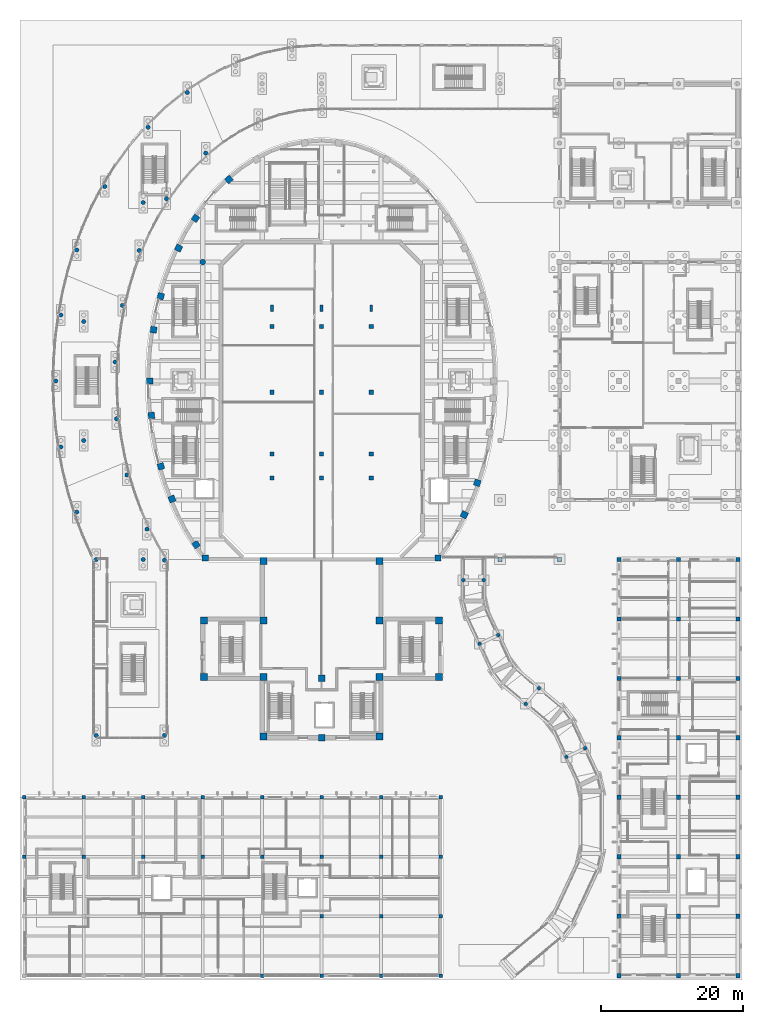
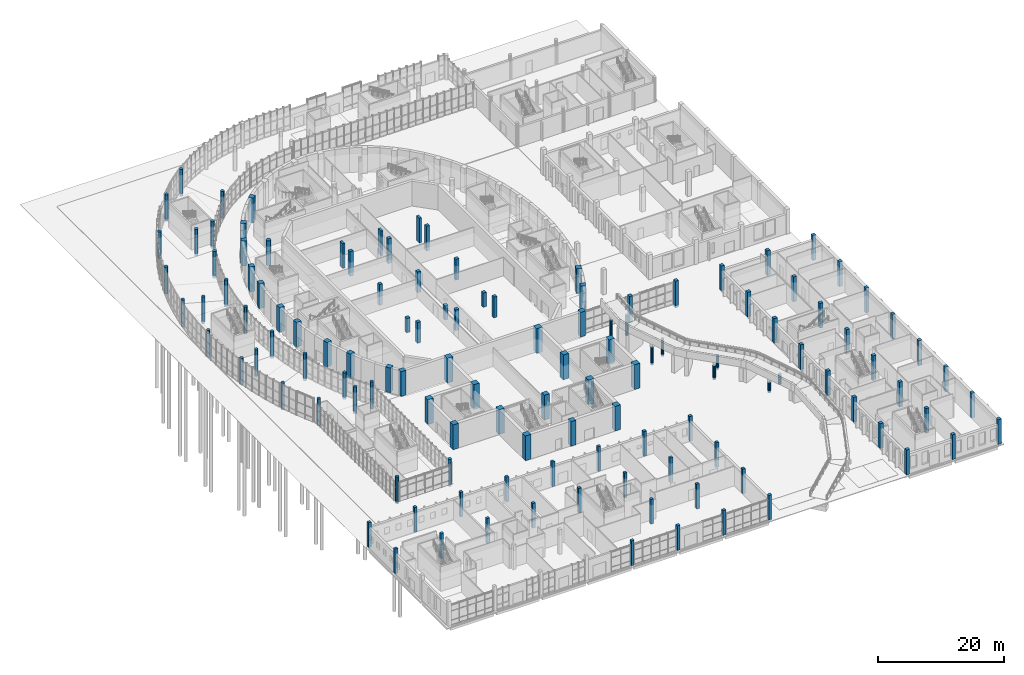
# One storey, part 4 of 110: 125 columns.
"""IFC4 building model written with IfcOpenShell, lengths in metres."""

from ifc_helpers import new_model, si_unit, direction, frame, origin, origin_2d, place, context, subcontext, project, spatial, rectangle, circle, extrude, material, material_profile, profile_set, type_object, element, save


model = new_model("IFC4")

# Units and contexts
model_context = context("Model", 3, precision=1e-05, world=origin(), true_north=direction((0.0, 1.0)))
body_context = subcontext(model_context, "Body", "Model", "MODEL_VIEW")
ifc_project = project(units=[si_unit("LENGTHUNIT", "METRE"), si_unit("AREAUNIT", "SQUARE_METRE"), si_unit("VOLUMEUNIT", "CUBIC_METRE"), si_unit("PLANEANGLEUNIT", "RADIAN"), si_unit("MASSUNIT", "GRAM", prefix="KILO")], contexts=[model_context])

# Site, building, storey
site_placement = place(None, origin())
site = spatial("IfcSite", under=ifc_project, at=site_placement, CompositionType="ELEMENT")
building_placement = place(site_placement, origin())
building = spatial("IfcBuilding", under=site, at=building_placement, Name="Larchfold Concert Hall", CompositionType="ELEMENT")
storey_placement = place(building_placement, origin())
storey = spatial("IfcBuildingStorey", under=building, at=storey_placement, Name="L00", CompositionType="ELEMENT", Elevation=0.0)

# Columns
ifc_material_1 = material(Name="Concrete C35/45", Category="concrete")
ifc_material_profile_1 = material_profile(ifc_material_1, rectangle(XDim=1.0, YDim=1.0, at=origin_2d()))
ifc_profile_set_1 = profile_set([ifc_material_profile_1], Name="Concrete C35/45")
column_type_1 = type_object("IfcColumnType", Name="Column RC 1000x1000", PredefinedType="COLUMN", material=ifc_profile_set_1)
for number, where, z_axis, x_axis, name in (
    (1, (26.0, 42.800048828125, 0.0), (0.0, 0.0, 1.0), (1.0, 0.0, 0.0), "Column C0087"),
    (2, (26.0, 50.800048828125, 0.0), (0.0, 0.0, 1.0), (1.0, 0.0, 0.0), "Column C0088"),
    (3, (34.39990234375, 34.39990234375, 0.0), (0.0, 0.0, 1.0), (1.0, 0.0, 0.0), "Column C0089"),
    (4, (34.39990234375, 42.800048828125, 0.0), (0.0, 0.0, 1.0), (1.0, 0.0, 0.0), "Column C0090"),
    (5, (34.39990234375, 50.800048828125, 0.0), (0.0, 0.0, 1.0), (1.0, 0.0, 0.0), "Column C0091"),
    (6, (34.39990234375, 59.199951171875, 0.0), (0.0, 0.0, 1.0), (1.0, 0.0, 0.0), "Column C0092"),
    (7, (50.800048828125, 34.39990234375, 0.0), (0.0, 0.0, 1.0), (1.0, 0.0, 0.0), "Column C0095"),
    (8, (50.800048828125, 42.800048828125, 0.0), (0.0, 0.0, 1.0), (1.0, 0.0, 0.0), "Column C0096"),
    (9, (50.800048828125, 50.800048828125, 0.0), (0.0, 0.0, 1.0), (1.0, 0.0, 0.0), "Column C0097"),
    (10, (50.800048828125, 59.199951171875, 0.0), (0.0, 0.0, 1.0), (1.0, 0.0, 0.0), "Column C0098"),
    (11, (59.199951171875, 42.800048828125, 0.0), (0.0, 0.0, 1.0), (1.0, 0.0, 0.0), "Column C0099"),
    (12, (59.199951171875, 50.800048828125, 0.0), (0.0, 0.0, 1.0), (1.0, 0.0, 0.0), "Column C0100"),
):
    element("IfcColumn", number, at=place(storey_placement, frame(where, z_axis=z_axis, x_axis=x_axis)), inside=storey, type_object=column_type_1, Name=name, PredefinedType="COLUMN", context=body_context, shape_type="SweptSolid", body=[
        extrude(rectangle(XDim=1.0, YDim=1.0, at=origin_2d()), origin(), (0.0, 0.0, 1.0), 4.800048828125),
    ])
ifc_material_2 = material(Name="Concrete C35/45", Category="concrete")
ifc_material_profile_2 = material_profile(ifc_material_2, rectangle(XDim=0.39990234375, YDim=0.89990234375, at=origin_2d()))
ifc_profile_set_2 = profile_set([ifc_material_profile_2], Name="Concrete C35/45")
column_type_2 = type_object("IfcColumnType", Name="Column RC 400x900", PredefinedType="COLUMN", material=ifc_profile_set_2)
for number, where, z_axis, x_axis, name in (
    (13, (35.60009765625, 94.89990234375, 0.0), (0.0, 0.0, 1.0), (1.0, 0.0, 0.0), "Column C0113"),
    (14, (42.60009765625, 94.89990234375, 0.0), (0.0, 0.0, 1.0), (1.0, 0.0, 0.0), "Column C0114"),
    (15, (49.60009765625, 94.89990234375, 0.0), (0.0, 0.0, 1.0), (1.0, 0.0, 0.0), "Column C0115"),
):
    element("IfcColumn", number, at=place(storey_placement, frame(where, z_axis=z_axis, x_axis=x_axis)), inside=storey, type_object=column_type_2, Name=name, PredefinedType="COLUMN", context=body_context, shape_type="SweptSolid", body=[
        extrude(rectangle(XDim=0.39990234375, YDim=0.89990234375, at=origin_2d()), origin(), (0.0, 0.0, 1.0), 4.800048828125),
    ])
ifc_material_3 = material(Name="Concrete C35/45", Category="concrete")
ifc_material_profile_3 = material_profile(ifc_material_3, rectangle(XDim=0.5, YDim=0.5, at=origin_2d()))
ifc_profile_set_3 = profile_set([ifc_material_profile_3], Name="Concrete C35/45")
column_type_3 = type_object("IfcColumnType", Name="Column RC 500x500", PredefinedType="COLUMN", material=ifc_profile_set_3)
for number, where, z_axis, x_axis, name in (
    (16, (0.60009765625, 17.39990234375, 0.0), (0.0, 0.0, 1.0), (1.0, 0.0, 0.0), "Column C0003"),
    (17, (0.60009765625, 25.800048828125, 0.0), (0.0, 0.0, 1.0), (1.0, 0.0, 0.0), "Column C0004"),
    (18, (9.0, 17.39990234375, 0.0), (0.0, 0.0, 1.0), (1.0, 0.0, 0.0), "Column C0007"),
    (19, (9.0, 25.800048828125, 0.0), (0.0, 0.0, 1.0), (1.0, 0.0, 0.0), "Column C0008"),
    (20, (17.39990234375, 17.39990234375, 0.0), (0.0, 0.0, 1.0), (1.0, 0.0, 0.0), "Column C0011"),
    (21, (17.39990234375, 25.800048828125, 0.0), (0.0, 0.0, 1.0), (1.0, 0.0, 0.0), "Column C0012"),
    (22, (25.800048828125, 17.39990234375, 0.0), (0.0, 0.0, 1.0), (1.0, 0.0, 0.0), "Column C0015"),
    (23, (25.800048828125, 25.800048828125, 0.0), (0.0, 0.0, 1.0), (1.0, 0.0, 0.0), "Column C0016"),
    (24, (34.199951171875, 0.60009765625, 0.0), (0.0, 0.0, 1.0), (1.0, 0.0, 0.0), "Column C0017"),
    (25, (34.199951171875, 17.39990234375, 0.0), (0.0, 0.0, 1.0), (1.0, 0.0, 0.0), "Column C0018"),
    (26, (34.199951171875, 25.800048828125, 0.0), (0.0, 0.0, 1.0), (1.0, 0.0, 0.0), "Column C0019"),
    (27, (42.60009765625, 0.60009765625, 0.0), (0.0, 0.0, 1.0), (1.0, 0.0, 0.0), "Column C0020"),
    (28, (42.60009765625, 9.0, 0.0), (0.0, 0.0, 1.0), (1.0, 0.0, 0.0), "Column C0021"),
    (29, (42.60009765625, 17.39990234375, 0.0), (0.0, 0.0, 1.0), (1.0, 0.0, 0.0), "Column C0022"),
    (30, (42.60009765625, 25.800048828125, 0.0), (0.0, 0.0, 1.0), (1.0, 0.0, 0.0), "Column C0023"),
    (31, (51.0, 0.60009765625, 0.0), (0.0, 0.0, 1.0), (1.0, 0.0, 0.0), "Column C0024"),
    (32, (51.0, 9.0, 0.0), (0.0, 0.0, 1.0), (1.0, 0.0, 0.0), "Column C0025"),
    (33, (51.0, 17.39990234375, 0.0), (0.0, 0.0, 1.0), (1.0, 0.0, 0.0), "Column C0026"),
    (34, (51.0, 25.800048828125, 0.0), (0.0, 0.0, 1.0), (1.0, 0.0, 0.0), "Column C0027"),
    (35, (59.39990234375, 0.60009765625, 0.0), (0.0, 0.0, 1.0), (1.0, 0.0, 0.0), "Column C0028"),
    (36, (59.39990234375, 9.0, 0.0), (0.0, 0.0, 1.0), (1.0, 0.0, 0.0), "Column C0029"),
    (37, (59.39990234375, 17.39990234375, 0.0), (0.0, 0.0, 1.0), (1.0, 0.0, 0.0), "Column C0030"),
    (38, (59.39990234375, 25.800048828125, 0.0), (0.0, 0.0, 1.0), (1.0, 0.0, 0.0), "Column C0031"),
):
    element("IfcColumn", number, at=place(storey_placement, frame(where, z_axis=z_axis, x_axis=x_axis)), inside=storey, type_object=column_type_3, Name=name, PredefinedType="COLUMN", context=body_context, shape_type="SweptSolid", body=[
        extrude(rectangle(XDim=0.5, YDim=0.5, at=origin_2d()), origin(), (0.0, 0.0, 1.0), 4.800048828125),
    ])
ifc_material_4 = material(Name="Concrete C35/45", Category="concrete")
ifc_material_profile_4 = material_profile(ifc_material_4, rectangle(XDim=0.60009765625, YDim=0.60009765625, at=origin_2d()))
ifc_profile_set_4 = profile_set([ifc_material_profile_4], Name="Concrete C35/45")
column_type_4 = type_object("IfcColumnType", Name="Column RC 600x600", PredefinedType="COLUMN", material=ifc_profile_set_4)
for number, where, z_axis, x_axis, name in (
    (39, (84.60009765625, 0.60009765625, 0.0), (0.0, 0.0, 1.0), (1.0, 0.0, 0.0), "Column C0032"),
    (40, (84.60009765625, 9.0, 0.0), (0.0, 0.0, 1.0), (1.0, 0.0, 0.0), "Column C0033"),
    (41, (84.60009765625, 17.39990234375, 0.0), (0.0, 0.0, 1.0), (1.0, 0.0, 0.0), "Column C0034"),
    (42, (84.60009765625, 25.800048828125, 0.0), (0.0, 0.0, 1.0), (1.0, 0.0, 0.0), "Column C0035"),
    (43, (84.60009765625, 34.199951171875, 0.0), (0.0, 0.0, 1.0), (1.0, 0.0, 0.0), "Column C0036"),
    (44, (84.60009765625, 42.60009765625, 0.0), (0.0, 0.0, 1.0), (1.0, 0.0, 0.0), "Column C0037"),
    (45, (84.60009765625, 51.0, 0.0), (0.0, 0.0, 1.0), (1.0, 0.0, 0.0), "Column C0038"),
    (46, (84.60009765625, 59.39990234375, 0.0), (0.0, 0.0, 1.0), (1.0, 0.0, 0.0), "Column C0039"),
    (47, (93.0, 0.60009765625, 0.0), (0.0, 0.0, 1.0), (1.0, 0.0, 0.0), "Column C0040"),
    (48, (93.0, 9.0, 0.0), (0.0, 0.0, 1.0), (1.0, 0.0, 0.0), "Column C0041"),
    (49, (93.0, 17.39990234375, 0.0), (0.0, 0.0, 1.0), (1.0, 0.0, 0.0), "Column C0042"),
    (50, (93.0, 25.800048828125, 0.0), (0.0, 0.0, 1.0), (1.0, 0.0, 0.0), "Column C0043"),
    (51, (93.0, 34.199951171875, 0.0), (0.0, 0.0, 1.0), (1.0, 0.0, 0.0), "Column C0044"),
    (52, (93.0, 42.60009765625, 0.0), (0.0, 0.0, 1.0), (1.0, 0.0, 0.0), "Column C0045"),
    (53, (93.0, 51.0, 0.0), (0.0, 0.0, 1.0), (1.0, 0.0, 0.0), "Column C0046"),
    (54, (93.0, 59.39990234375, 0.0), (0.0, 0.0, 1.0), (1.0, 0.0, 0.0), "Column C0047"),
    (55, (101.39990234375, 0.60009765625, 0.0), (0.0, 0.0, 1.0), (1.0, 0.0, 0.0), "Column C0048"),
    (56, (101.39990234375, 9.0, 0.0), (0.0, 0.0, 1.0), (1.0, 0.0, 0.0), "Column C0049"),
    (57, (101.39990234375, 17.39990234375, 0.0), (0.0, 0.0, 1.0), (1.0, 0.0, 0.0), "Column C0050"),
    (58, (101.39990234375, 25.800048828125, 0.0), (0.0, 0.0, 1.0), (1.0, 0.0, 0.0), "Column C0051"),
    (59, (101.39990234375, 34.199951171875, 0.0), (0.0, 0.0, 1.0), (1.0, 0.0, 0.0), "Column C0052"),
    (60, (101.39990234375, 42.60009765625, 0.0), (0.0, 0.0, 1.0), (1.0, 0.0, 0.0), "Column C0053"),
    (61, (101.39990234375, 51.0, 0.0), (0.0, 0.0, 1.0), (1.0, 0.0, 0.0), "Column C0054"),
    (62, (101.39990234375, 59.39990234375, 0.0), (0.0, 0.0, 1.0), (1.0, 0.0, 0.0), "Column C0055"),
):
    element("IfcColumn", number, at=place(storey_placement, frame(where, z_axis=z_axis, x_axis=x_axis)), inside=storey, type_object=column_type_4, Name=name, PredefinedType="COLUMN", context=body_context, shape_type="SweptSolid", body=[
        extrude(rectangle(XDim=0.60009765625, YDim=0.60009765625, at=origin_2d()), origin(), (0.0, 0.0, 1.0), 4.800048828125),
    ])
for number, where, z_axis, x_axis, name in (
    (63, (35.60009765625, 74.300048828125, 0.0), (0.0, 0.0, 1.0), (1.0, 0.0, 0.0), "Column C0101"),
    (64, (42.60009765625, 74.300048828125, 0.0), (0.0, 0.0, 1.0), (1.0, 0.0, 0.0), "Column C0102"),
    (65, (49.60009765625, 74.300048828125, 0.0), (0.0, 0.0, 1.0), (1.0, 0.0, 0.0), "Column C0103"),
):
    element("IfcColumn", number, at=place(storey_placement, frame(where, z_axis=z_axis, x_axis=x_axis)), inside=storey, type_object=column_type_4, Name=name, PredefinedType="COLUMN", context=body_context, shape_type="SweptSolid", body=[
        extrude(rectangle(XDim=0.60009765625, YDim=0.60009765625, at=origin_2d()), origin(), (0.0, 0.0, 1.0), 2.780029296875),
    ])
for number, where, z_axis, x_axis, name in (
    (66, (35.60009765625, 83.0, 0.0), (0.0, 0.0, 1.0), (1.0, 0.0, 0.0), "Column C0104"),
    (67, (42.60009765625, 83.0, 0.0), (0.0, 0.0, 1.0), (1.0, 0.0, 0.0), "Column C0105"),
    (68, (49.60009765625, 83.0, 0.0), (0.0, 0.0, 1.0), (1.0, 0.0, 0.0), "Column C0106"),
):
    element("IfcColumn", number, at=place(storey_placement, frame(where, z_axis=z_axis, x_axis=x_axis)), inside=storey, type_object=column_type_4, Name=name, PredefinedType="COLUMN", context=body_context, shape_type="SweptSolid", body=[
        extrude(rectangle(XDim=0.60009765625, YDim=0.60009765625, at=origin_2d()), origin(), (0.0, 0.0, 1.0), 4.035888671875),
    ])
for number, where, z_axis, x_axis, name in (
    (69, (35.60009765625, 92.300048828125, 0.0), (0.0, 0.0, 1.0), (1.0, 0.0, 0.0), "Column C0107"),
    (70, (42.60009765625, 92.300048828125, 0.0), (0.0, 0.0, 1.0), (1.0, 0.0, 0.0), "Column C0108"),
    (71, (49.60009765625, 92.300048828125, 0.0), (0.0, 0.0, 1.0), (1.0, 0.0, 0.0), "Column C0109"),
):
    element("IfcColumn", number, at=place(storey_placement, frame(where, z_axis=z_axis, x_axis=x_axis)), inside=storey, type_object=column_type_4, Name=name, PredefinedType="COLUMN", context=body_context, shape_type="SweptSolid", body=[
        extrude(rectangle(XDim=0.60009765625, YDim=0.60009765625, at=origin_2d()), origin(), (0.0, 0.0, 1.0), 4.800048828125),
    ])
for number, where, z_axis, x_axis, name in (
    (72, (35.60009765625, 70.89990234375, 0.0), (0.0, 0.0, 1.0), (1.0, 0.0, 0.0), "Column C0110"),
    (73, (42.60009765625, 70.89990234375, 0.0), (0.0, 0.0, 1.0), (1.0, 0.0, 0.0), "Column C0111"),
    (74, (49.60009765625, 70.89990234375, 0.0), (0.0, 0.0, 1.0), (1.0, 0.0, 0.0), "Column C0112"),
):
    element("IfcColumn", number, at=place(storey_placement, frame(where, z_axis=z_axis, x_axis=x_axis)), inside=storey, type_object=column_type_4, Name=name, PredefinedType="COLUMN", context=body_context, shape_type="SweptSolid", body=[
        extrude(rectangle(XDim=0.60009765625, YDim=0.60009765625, at=origin_2d()), origin(), (0.0, 0.0, 1.0), 4.050048828125),
    ])
for number, where, z_axis, x_axis, name in (
    (75, (67.800048828125, 59.39990234375, -0.39990234375), (0.0, 0.0, 1.0), (1.0, 0.0, 0.0), "Column C0116"),
    (76, (76.199951171875, 59.39990234375, -0.39990234375), (0.0, 0.0, 1.0), (1.0, 0.0, 0.0), "Column C0119"),
):
    element("IfcColumn", number, at=place(storey_placement, frame(where, z_axis=z_axis, x_axis=x_axis)), inside=storey, type_object=column_type_4, Name=name, PredefinedType="COLUMN", context=body_context, shape_type="SweptSolid", body=[
        extrude(rectangle(XDim=0.60009765625, YDim=0.60009765625, at=origin_2d()), origin(), (0.0, 0.0, 1.0), 5.199951171875),
    ])
ifc_material_5 = material(Name="Concrete C35/45", Category="concrete")
ifc_material_profile_5 = material_profile(ifc_material_5, rectangle(XDim=0.89990234375, YDim=0.89990234375, at=origin_2d()))
ifc_profile_set_5 = profile_set([ifc_material_profile_5], Name="Concrete C35/45")
column_type_5 = type_object("IfcColumnType", Name="Column RC 900x900", PredefinedType="COLUMN", material=ifc_profile_set_5)
for number, where, z_axis, x_axis, name in (
    (77, (42.60009765625, 34.199951171875, 0.0), (0.0, 0.0, 1.0), (1.0, 0.0, 0.0), "Column C0093"),
    (78, (42.60009765625, 42.60009765625, 0.0), (0.0, 0.0, 1.0), (1.0, 0.0, 0.0), "Column C0094"),
    (79, (29.505615234375, 113.069580078125, 0.0), (0.0, 0.0, 1.0), (0.746953596831, 0.664876172066, 0.0), "Column C9011"),
    (80, (24.788330078125, 107.587646484375, 0.0), (0.0, 0.0, 1.0), (0.554977881431, 0.831865103922, 0.0), "Column C9012"),
    (81, (22.399658203125, 103.382568359375, 0.0), (0.0, 0.0, 1.0), (0.433275657946, 0.901261451651, 0.0), "Column C9013"),
    (82, (19.878173828125, 96.578857421875, 0.0), (0.0, 0.0, 1.0), (0.263030529779, 0.964787510493, 0.0), "Column C9014"),
    (83, (18.86474609375, 91.841796875, 0.0), (0.0, 0.0, 1.0), (0.155868072999, 0.987777881823, 0.0), "Column C9015"),
    (84, (18.300048828125, 84.60009765625, 0.0), (0.0, 0.0, 1.0), (2.069716e-06, 0.999999999998, 0.0), "Column C9016"),
    (85, (18.5537109375, 79.73095703125, 0.0), (0.0, 0.0, 1.0), (0.994561340283, 0.104152486359, 0.0), "Column C9017"),
    (86, (19.898193359375, 72.548828125, 0.0), (0.0, 0.0, 1.0), (0.964323619166, 0.264726193489, 0.0), "Column C9018"),
    (87, (21.461181640625, 67.934326171875, 0.0), (0.0, 0.0, 1.0), (0.926013821217, 0.377489606368, 0.0), "Column C9019"),
    (88, (24.872314453125, 61.4873046875, 0.0), (0.0, 0.0, 1.0), (0.829252824487, 0.558873646794, 0.0), "Column C9020"),
    (89, (26.153076171875, 59.599853515625, 0.0), (0.0, 0.0, 1.0), (1.0, 0.0, 0.0), "Column C9021"),
    (90, (59.047119140625, 59.599853515625, 0.0), (0.0, 0.0, 1.0), (1.0, 0.0, 0.0), "Column C9022"),
    (91, (62.748291015625, 65.708984375, 0.0), (0.0, 0.0, 1.0), (0.436211127096, 0.899844349095, 0.0), "Column C9023"),
    (92, (64.589111328125, 70.218017578125, 0.0), (0.0, 0.0, 1.0), (0.320382697349, 0.947288196506, 0.0), "Column C9024"),
):
    element("IfcColumn", number, at=place(storey_placement, frame(where, z_axis=z_axis, x_axis=x_axis)), inside=storey, type_object=column_type_5, Name=name, PredefinedType="COLUMN", context=body_context, shape_type="SweptSolid", body=[
        extrude(rectangle(XDim=0.89990234375, YDim=0.89990234375, at=origin_2d()), origin(), (0.0, 0.0, 1.0), 4.800048828125),
    ])
ifc_material_6 = material(Name="Concrete C35/45", Category="concrete")
ifc_material_profile_6 = material_profile(ifc_material_6, circle(Radius=0.25, at=origin_2d()))
ifc_profile_set_6 = profile_set([ifc_material_profile_6], Name="Concrete C35/45")
column_type_6 = type_object("IfcColumnType", Name="Column RC D500", PredefinedType="COLUMN", material=ifc_profile_set_6)
for number, where, z_axis, x_axis, name in (
    (93, (77.18408203125, 31.498779296875, -0.39990234375), (0.0, 0.0, 1.0), (1.0, 0.0, 0.0), "Column RC0120"),
    (94, (79.812255859375, 32.724365234375, -0.39990234375), (0.0, 0.0, 1.0), (1.0, 0.0, 0.0), "Column RC0121"),
):
    element("IfcColumn", number, at=place(storey_placement, frame(where, z_axis=z_axis, x_axis=x_axis)), inside=storey, type_object=column_type_6, Name=name, PredefinedType="COLUMN", context=body_context, shape_type="SweptSolid", body=[
        extrude(circle(Radius=0.25, at=origin_2d()), origin(), (0.0, 0.0, 1.0), 1.9697265625),
    ])
for number, where, z_axis, x_axis, name in (
    (95, (71.432373046875, 38.99462890625, -0.39990234375), (0.0, 0.0, 1.0), (1.0, 0.0, 0.0), "Column RC0122"),
    (96, (73.296630859375, 41.216064453125, -0.39990234375), (0.0, 0.0, 1.0), (1.0, 0.0, 0.0), "Column RC0123"),
):
    element("IfcColumn", number, at=place(storey_placement, frame(where, z_axis=z_axis, x_axis=x_axis)), inside=storey, type_object=column_type_6, Name=name, PredefinedType="COLUMN", context=body_context, shape_type="SweptSolid", body=[
        extrude(circle(Radius=0.25, at=origin_2d()), origin(), (0.0, 0.0, 1.0), 2.68994140625),
    ])
for number, where, z_axis, x_axis, name in (
    (97, (64.91650390625, 47.486083984375, -0.39990234375), (0.0, 0.0, 1.0), (1.0, 0.0, 0.0), "Column RC0124"),
    (98, (67.544921875, 48.711669921875, -0.39990234375), (0.0, 0.0, 1.0), (1.0, 0.0, 0.0), "Column RC0125"),
):
    element("IfcColumn", number, at=place(storey_placement, frame(where, z_axis=z_axis, x_axis=x_axis)), inside=storey, type_object=column_type_6, Name=name, PredefinedType="COLUMN", context=body_context, shape_type="SweptSolid", body=[
        extrude(circle(Radius=0.25, at=origin_2d()), origin(), (0.0, 0.0, 1.0), 3.409912109375),
    ])
for number, where, z_axis, x_axis, name in (
    (99, (62.599853515625, 56.471923828125, -0.39990234375), (0.0, 0.0, 1.0), (1.0, 0.0, 0.0), "Column RC0126"),
    (100, (65.499755859375, 56.471923828125, -0.39990234375), (0.0, 0.0, 1.0), (1.0, 0.0, 0.0), "Column RC0127"),
):
    element("IfcColumn", number, at=place(storey_placement, frame(where, z_axis=z_axis, x_axis=x_axis)), inside=storey, type_object=column_type_6, Name=name, PredefinedType="COLUMN", context=body_context, shape_type="SweptSolid", body=[
        extrude(circle(Radius=0.25, at=origin_2d()), origin(), (0.0, 0.0, 1.0), 4.010009765625),
    ])
ifc_material_7 = material(Name="Concrete C35/45", Category="concrete")
ifc_material_profile_7 = material_profile(ifc_material_7, circle(Radius=0.300048828125, at=origin_2d()))
ifc_profile_set_7 = profile_set([ifc_material_profile_7], Name="Concrete C35/45")
column_type_7 = type_object("IfcColumnType", Name="Column RC D600", PredefinedType="COLUMN", material=ifc_profile_set_7)
for number, where, z_axis, x_axis, name in (
    (101, (20.39892578125, 59.301025390625, -0.39990234375), (0.0, 0.0, 1.0), (1.0, 0.0, 0.0), "Column RC0128"),
    (102, (20.39892578125, 34.550048828125, -0.39990234375), (0.0, 0.0, 1.0), (1.0, 0.0, 0.0), "Column RC0129"),
    (103, (10.758056640625, 34.550048828125, -0.39990234375), (0.0, 0.0, 1.0), (1.0, 0.0, 0.0), "Column RC0130"),
    (104, (10.758056640625, 59.39990234375, -0.39990234375), (0.0, 0.0, 1.0), (1.0, 0.0, 0.0), "Column RC0131"),
    (105, (8.01806640625, 66.0791015625, -0.39990234375), (0.0, 0.0, 1.0), (1.0, 0.0, 0.0), "Column RC0132"),
    (106, (5.77294921875, 75.2900390625, -0.39990234375), (0.0, 0.0, 1.0), (1.0, 0.0, 0.0), "Column RC0133"),
    (107, (5.0458984375, 84.60009765625, -0.39990234375), (0.0, 0.0, 1.0), (1.0, 0.0, 0.0), "Column RC0134"),
    (108, (5.77294921875, 93.910888671875, -0.39990234375), (0.0, 0.0, 1.0), (1.0, 0.0, 0.0), "Column RC0135"),
    (109, (8.01806640625, 103.12109375, -0.39990234375), (0.0, 0.0, 1.0), (1.0, 0.0, 0.0), "Column RC0136"),
    (110, (11.992919921875, 112.075927734375, -0.39990234375), (0.0, 0.0, 1.0), (1.0, 0.0, 0.0), "Column RC0137"),
    (111, (18.096923828125, 120.445068359375, -0.39990234375), (0.0, 0.0, 1.0), (1.0, 0.0, 0.0), "Column RC0138"),
    (112, (23.62109375, 125.341064453125, -0.39990234375), (0.0, 0.0, 1.0), (1.0, 0.0, 0.0), "Column RC0139"),
    (113, (26.22900390625, 116.785888671875, -0.39990234375), (0.0, 0.0, 1.0), (1.0, 0.0, 0.0), "Column RC0146"),
    (114, (20.677978515625, 110.35107421875, -0.39990234375), (0.0, 0.0, 1.0), (1.0, 0.0, 0.0), "Column RC0147"),
    (115, (16.8359375, 103.0380859375, -0.39990234375), (0.0, 0.0, 1.0), (1.0, 0.0, 0.0), "Column RC0148"),
    (116, (14.467041015625, 95.27001953125, -0.39990234375), (0.0, 0.0, 1.0), (1.0, 0.0, 0.0), "Column RC0149"),
    (117, (13.41796875, 87.2880859375, -0.39990234375), (0.0, 0.0, 1.0), (1.0, 0.0, 0.0), "Column RC0150"),
    (118, (13.625, 79.257080078125, -0.39990234375), (0.0, 0.0, 1.0), (1.0, 0.0, 0.0), "Column RC0151"),
    (119, (15.09912109375, 71.326904296875, -0.39990234375), (0.0, 0.0, 1.0), (1.0, 0.0, 0.0), "Column RC0152"),
    (120, (17.93310546875, 63.679931640625, -0.39990234375), (0.0, 0.0, 1.0), (1.0, 0.0, 0.0), "Column RC0153"),
    (121, (9.0, 76.199951171875, -0.39990234375), (0.0, 0.0, 1.0), (1.0, 0.0, 0.0), "Column RC0154"),
    (122, (9.0, 93.0, -0.39990234375), (0.0, 0.0, 1.0), (1.0, 0.0, 0.0), "Column RC0155"),
    (123, (17.39990234375, 59.39990234375, -0.39990234375), (0.0, 0.0, 1.0), (1.0, 0.0, 0.0), "Column RC0156"),
    (124, (17.39990234375, 109.800048828125, -0.39990234375), (0.0, 0.0, 1.0), (1.0, 0.0, 0.0), "Column RC0157"),
):
    element("IfcColumn", number, at=place(storey_placement, frame(where, z_axis=z_axis, x_axis=x_axis)), inside=storey, type_object=column_type_7, Name=name, PredefinedType="COLUMN", context=body_context, shape_type="SweptSolid", body=[
        extrude(circle(Radius=0.300048828125, at=origin_2d()), origin(), (0.0, 0.0, 1.0), 5.199951171875),
    ])
ifc_material_8 = material(Name="Concrete C35/45", Category="concrete")
ifc_material_profile_8 = material_profile(ifc_material_8, circle(Radius=0.39990234375, at=origin_2d()))
ifc_profile_set_8 = profile_set([ifc_material_profile_8], Name="Concrete C35/45")
column_type_8 = type_object("IfcColumnType", Name="Column RC D800", PredefinedType="COLUMN", material=ifc_profile_set_8)
column_placement = place(storey_placement, frame((25.800048828125, 101.39990234375, 0.0), z_axis=(0.0, 0.0, 1.0), x_axis=(1.0, 0.0, 0.0)))
element("IfcColumn", 125, at=column_placement, inside=storey, type_object=column_type_8, Name="Column RC5814", PredefinedType="COLUMN", context=body_context, shape_type="SweptSolid", body=[
    extrude(circle(Radius=0.39990234375, at=origin_2d()), origin(), (0.0, 0.0, 1.0), 4.800048828125),
])

save(model, "model.ifc")
